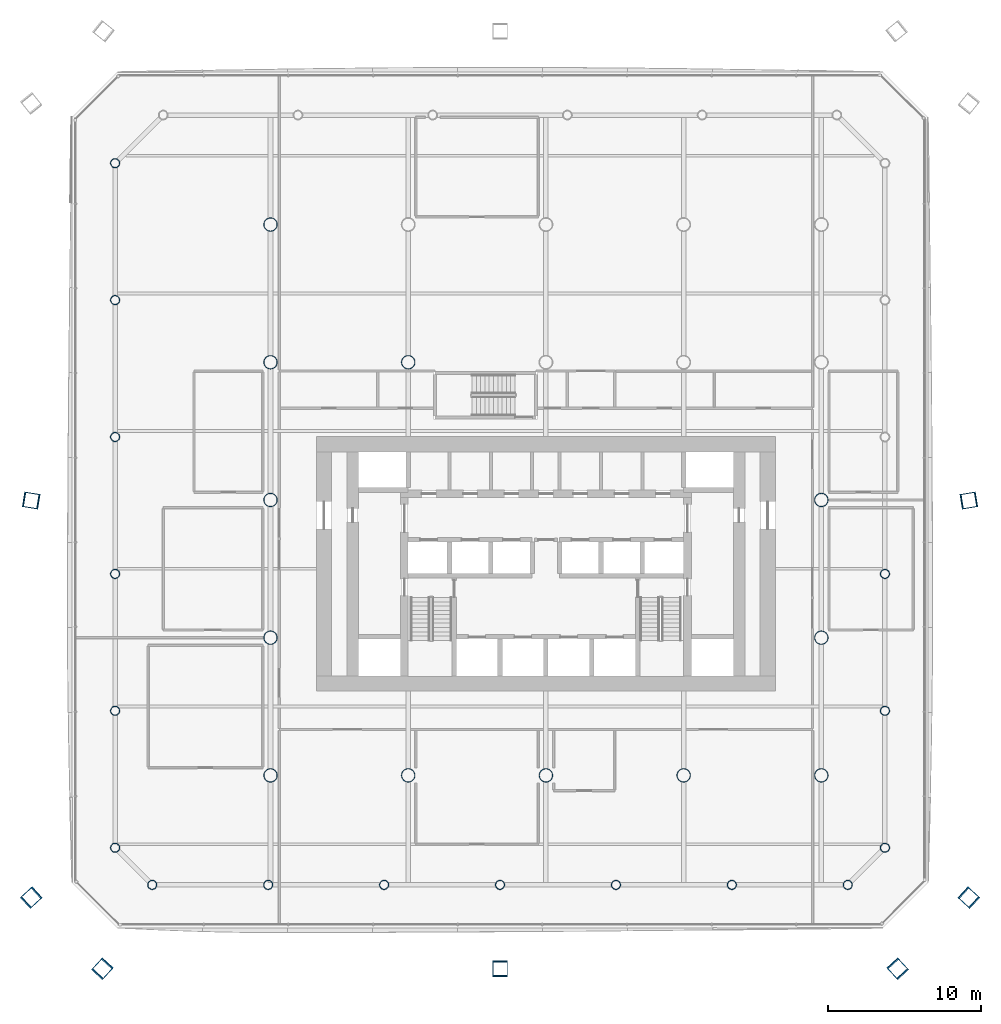
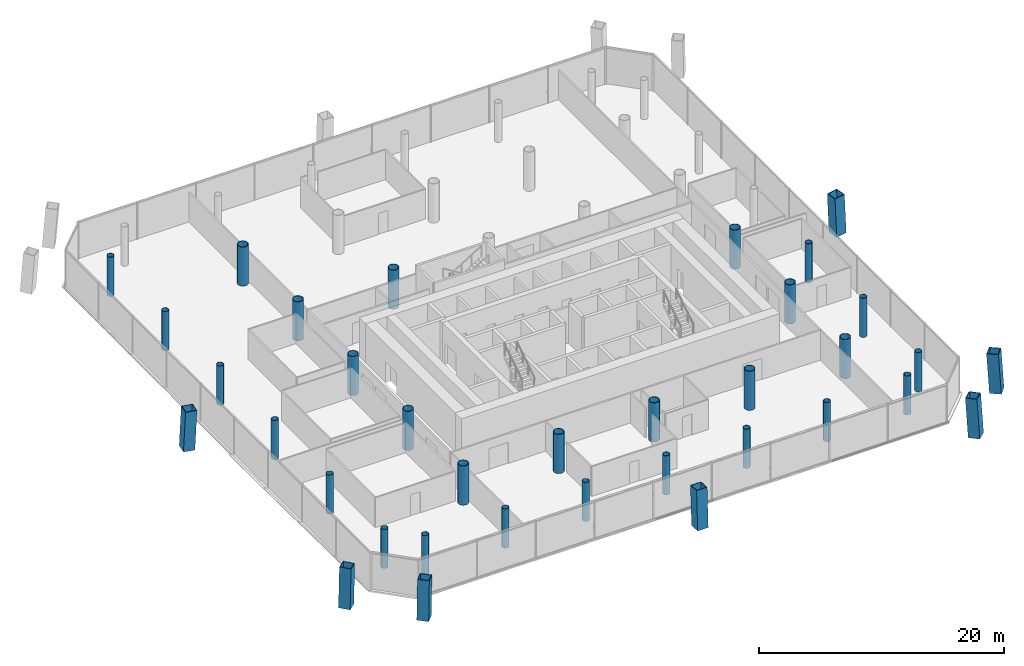
# One storey, part 1 of 23: 35 columns.
"""IFC4 building model written with IfcOpenShell, lengths in metres."""

import ifcopenshell
import ifcopenshell.guid

model = None  # the IFC model being written
_history = None  # IfcOwnerHistory: only IFC2X3 demands one
_inside = {}  # id of a spatial element -> (the spatial element, [elements in it])
_under = {}  # id of a project, library or spatial element -> (it, [spatial elements below it])
_declared = {}  # id of a project -> (the project, [libraries it declares])
_typed = {}  # id of a type object -> (the type object, [elements of that type])
_made_of = {}  # id of a material, layer set ... -> (it, [elements and type objects made of it])


def new_model(schema):
    """Start an empty IFC model of exactly this schema.

    Asked for "IFC4X3", IfcOpenShell would pick the latest addendum, in which some entities
    have other attributes; the version numbers below select the first issue.
    IFC2X3 requires an IfcOwnerHistory on every rooted entity: one is made here for all.
    """
    global model, _history
    if schema == "IFC4X3":
        model = ifcopenshell.file(schema_version=(4, 3, 0, 0))
    else:
        model = ifcopenshell.file(schema=schema)
    _inside.clear()
    _under.clear()
    _declared.clear()
    _typed.clear()
    _made_of.clear()
    _history = None
    if model.schema == "IFC2X3":
        org = make("IfcOrganization", Name="unknown")
        user = make(
            "IfcPersonAndOrganization",
            ThePerson=make("IfcPerson", FamilyName="unknown"),
            TheOrganization=org,
        )
        app = make(
            "IfcApplication",
            ApplicationDeveloper=org,
            Version="unknown",
            ApplicationFullName="unknown",
            ApplicationIdentifier="unknown",
        )
        _history = make(
            "IfcOwnerHistory",
            OwningUser=user,
            OwningApplication=app,
            ChangeAction="ADDED",
            CreationDate=0,
        )
    return model


def make(cls, **values):
    """One entity of the class cls with the attributes given. An attribute that is None is left unset."""
    return model.create_entity(
        cls, **{name: value for name, value in values.items() if value is not None}
    )


def rooted(cls, **values):
    """An entity with a GlobalId (a new one), such as an element, a storey or a relation."""
    return make(cls, GlobalId=ifcopenshell.guid.new(), OwnerHistory=_history, **values)


def si_unit(unit_type, name, prefix=None):
    """IfcSIUnit, for example si_unit("LENGTHUNIT", "METRE", prefix="MILLI")."""
    return make("IfcSIUnit", UnitType=unit_type, Prefix=prefix, Name=name)


def assignment(units):
    """IfcUnitAssignment: the units of a project."""
    return None if units is None else make("IfcUnitAssignment", Units=units)


def point(xyz):
    """IfcCartesianPoint."""
    return None if xyz is None else make("IfcCartesianPoint", Coordinates=xyz)


def direction(xyz):
    """IfcDirection."""
    return None if xyz is None else make("IfcDirection", DirectionRatios=xyz)


def frame(location, z_axis=None, x_axis=None):
    """IfcAxis2Placement3D, a coordinate frame: its origin and axes. An axis left out is left unset."""
    return make(
        "IfcAxis2Placement3D",
        Location=point(location),
        Axis=direction(z_axis),
        RefDirection=direction(x_axis),
    )


def frame_2d(location, x_axis=None):
    """IfcAxis2Placement2D, a coordinate frame in the plane: its origin and x axis."""
    return make(
        "IfcAxis2Placement2D", Location=point(location), RefDirection=direction(x_axis)
    )


def origin():
    """The frame at (0, 0, 0) with its axes left unset."""
    return frame((0.0, 0.0, 0.0))


def origin_2d():
    """The frame at (0, 0) in the plane with its x axis left unset."""
    return frame_2d((0.0, 0.0))


def place(relative_to, where):
    """IfcLocalPlacement: puts the frame where relative to a parent placement (None: the world)."""
    return make(
        "IfcLocalPlacement", PlacementRelTo=relative_to, RelativePlacement=where
    )


def context(
    kind, dimensions, precision=None, world=None, true_north=None, identifier=None
):
    """IfcGeometricRepresentationContext, for example the 3D "Model" context."""
    return make(
        "IfcGeometricRepresentationContext",
        ContextIdentifier=identifier,
        ContextType=kind,
        CoordinateSpaceDimension=dimensions,
        Precision=precision,
        WorldCoordinateSystem=world,
        TrueNorth=true_north,
    )


def subcontext(parent, identifier, kind, view, scale=None):
    """IfcGeometricRepresentationSubContext, for example "Body" below "Model"."""
    return make(
        "IfcGeometricRepresentationSubContext",
        ContextIdentifier=identifier,
        ContextType=kind,
        ParentContext=parent,
        TargetScale=scale,
        TargetView=view,
    )


def project(units=None, contexts=None):
    """IfcProject with its units and contexts."""
    return rooted(
        "IfcProject",
        Name="project",
        RepresentationContexts=contexts,
        UnitsInContext=assignment(units),
    )


def spatial(cls, under=None, at=None, **own):
    """A site, building, storey or space (cls), placed at a placement, below another one or the project."""
    s = rooted(cls, ObjectPlacement=at, **own)
    if under is not None:
        _under.setdefault(under.id(), (under, []))[1].append(s)
    return s


def profile(cls, at=None, kind="AREA", **sizes):
    """A parametric profile (cls). Its sizes go by their IFC names, for example OverallWidth=200.0."""
    return make(cls, ProfileType=kind, Position=at, **sizes)


def hollow_rectangle(**sizes):
    """IfcRectangleHollowProfileDef."""
    return profile("IfcRectangleHollowProfileDef", **sizes)


def hollow_circle(**sizes):
    """IfcCircleHollowProfileDef."""
    return profile("IfcCircleHollowProfileDef", **sizes)


def extrude(swept, where, along, depth):
    """IfcExtrudedAreaSolid: the profile swept, set in the frame where, extruded along a direction by depth."""
    return make(
        "IfcExtrudedAreaSolid",
        SweptArea=swept,
        Position=where,
        ExtrudedDirection=direction(along),
        Depth=depth,
    )


def shape(context_of_items, identifier, shape_type, items):
    """IfcShapeRepresentation: the items that make up one representation, for example the "Body"."""
    return make(
        "IfcShapeRepresentation",
        ContextOfItems=context_of_items,
        RepresentationIdentifier=identifier,
        RepresentationType=shape_type,
        Items=items,
    )


def material(Name=None, Category=None):
    """IfcMaterial."""
    return make("IfcMaterial", Name=Name, Category=Category)


def material_profile(
    of_material, cross_section, Name=None, Category=None, Priority=None
):
    """IfcMaterialProfile: a cross section and its material."""
    return make(
        "IfcMaterialProfile",
        Name=Name,
        Material=of_material,
        Profile=cross_section,
        Priority=Priority,
        Category=Category,
    )


def profile_set(profiles, Name=None, composite=None):
    """IfcMaterialProfileSet."""
    return make(
        "IfcMaterialProfileSet",
        Name=Name,
        MaterialProfiles=profiles,
        CompositeProfile=composite,
    )


def made_of(thing, what):
    """Note that an element or type object is made of a material, layer set ...; save() writes the relation."""
    if what is not None:
        _made_of.setdefault(what.id(), (what, []))[1].append(thing)
    return thing


def type_object(cls, material=None, **own):
    """A type object (cls), such as IfcWallType, which elements share."""
    return made_of(rooted(cls, **own), material)


def element(
    cls,
    number,
    at=None,
    inside=None,
    cuts=None,
    type_object=None,
    material=None,
    context=None,
    identifier="Body",
    shape_type=None,
    held_by="IfcProductDefinitionShape",
    body=None,
    shapes=None,
    **own,
):
    """One element of the class cls, such as IfcWall. Its Tag is "e" and its number.

    at: its placement. inside: the storey or other place that contains it. cuts: it is an
    opening in that element (IfcRelVoidsElement). A single representation is given by context,
    identifier, shape_type and body (its items); several are given by shapes. held_by: the class
    of the entity that holds the representations. save() writes the other relations.
    """
    e = rooted(cls, Tag="e%d" % number, ObjectPlacement=at, **own)
    if body is not None:
        shapes = [shape(context, identifier, shape_type, body)]
    if shapes is not None:
        e.Representation = make(held_by, Representations=shapes)
    if inside is not None:
        _inside.setdefault(inside.id(), (inside, []))[1].append(e)
    if cuts is not None:
        rooted(
            "IfcRelVoidsElement", RelatingBuildingElement=cuts, RelatedOpeningElement=e
        )
    if type_object is not None:
        _typed.setdefault(type_object.id(), (type_object, []))[1].append(e)
    return made_of(e, material)


def aggregate(whole, parts):
    """IfcRelAggregates: a whole, such as a stair, and the parts it consists of."""
    return rooted("IfcRelAggregates", RelatingObject=whole, RelatedObjects=parts)


def save(model, path):
    """Write the relations noted so far, then the file.

    IfcRelAggregates (storeys below a building ...), IfcRelContainedInSpatialStructure (elements
    in a storey), IfcRelDefinesByType, IfcRelAssociatesMaterial and IfcRelDeclares: one each for
    every whole, place, type object, material and project.
    """
    for whole, parts in _under.values():
        aggregate(whole, parts)
    for where, things in _inside.values():
        rooted(
            "IfcRelContainedInSpatialStructure",
            RelatedElements=things,
            RelatingStructure=where,
        )
    for kind, things in _typed.values():
        rooted("IfcRelDefinesByType", RelatedObjects=things, RelatingType=kind)
    for what, things in _made_of.values():
        rooted("IfcRelAssociatesMaterial", RelatedObjects=things, RelatingMaterial=what)
    for by, libraries in _declared.values():
        rooted("IfcRelDeclares", RelatingContext=by, RelatedDefinitions=libraries)
    model.write(path)


model = new_model("IFC4")

# Units and contexts
model_context = context("Model", 3, precision=1e-05, world=origin(), true_north=direction((0.0, 1.0)))
body_context = subcontext(model_context, "Body", "Model", "MODEL_VIEW")
ifc_project = project(units=[si_unit("LENGTHUNIT", "METRE"), si_unit("AREAUNIT", "SQUARE_METRE"), si_unit("VOLUMEUNIT", "CUBIC_METRE"), si_unit("PLANEANGLEUNIT", "RADIAN"), si_unit("MASSUNIT", "GRAM", prefix="KILO")], contexts=[model_context])

# Site, building, storey
site_placement = place(None, origin())
site = spatial("IfcSite", under=ifc_project, at=site_placement, CompositionType="ELEMENT")
building_placement = place(site_placement, origin())
building = spatial("IfcBuilding", under=site, at=building_placement, Name="Tskaro Facet Tower", CompositionType="ELEMENT")
storey_placement = place(building_placement, frame((0.0, 0.0, 14.699951171875)))
storey = spatial("IfcBuildingStorey", under=building, at=storey_placement, Name="L02", CompositionType="ELEMENT", Elevation=14.699951171875)

# Columns
ifc_material_1 = material(Name="Steel S460M", Category="steel")
ifc_material_profile_1 = material_profile(ifc_material_1, hollow_rectangle(XDim=1.0, YDim=1.0, WallThickness=0.06005859375, at=origin_2d()), Name="BOX 1000x1000x60")
ifc_profile_set_1 = profile_set([ifc_material_profile_1], Name="Steel S460M")
column_type_1 = type_object("IfcColumnType", Name="BOX 1000x1000x60 mega column", PredefinedType="COLUMN", material=ifc_profile_set_1)
column_1_placement = place(storey_placement, frame((-29.013916015625, -30.6669921875, 0.0), z_axis=(0.042481911701, 0.046542682672, 0.998012557971), x_axis=(-0.73859280104, 0.674151818399, 0.0)))
element("IfcColumn", 1, at=column_1_placement, inside=storey, type_object=column_type_1, Name="BOX 1000x1000x60 MC01/1", PredefinedType="COLUMN", context=body_context, shape_type="SweptSolid", body=[
    extrude(hollow_rectangle(XDim=1.0, YDim=1.0, WallThickness=0.06005859375, at=origin_2d()), origin(), (0.0, 0.0, 1.0), 3.907958984375),
])
column_2_placement = place(storey_placement, frame((-3.0, -30.6669921875, 0.0), z_axis=(0.0, 0.046584737692, 0.99891434178), x_axis=(-1.0, 0.0, 0.0)))
element("IfcColumn", 2, at=column_2_placement, inside=storey, type_object=column_type_1, Name="BOX 1000x1000x60 MC02/1", PredefinedType="COLUMN", context=body_context, shape_type="SweptSolid", body=[
    extrude(hollow_rectangle(XDim=1.0, YDim=1.0, WallThickness=0.06005859375, at=origin_2d()), origin(), (0.0, 0.0, 1.0), 3.904296875),
])
for number, where, z_axis, x_axis, name in (
    (3, (23.013916015625, -30.6669921875, 0.0), (-0.042481911701, 0.046542682672, 0.998012557971), (-0.73859280104, -0.674151818399, 0.0), "BOX 1000x1000x60 MC03/1"),
    (4, (27.6669921875, -26.013916015625, 0.0), (-0.046542682672, 0.042481911701, 0.998012557971), (-0.674151818399, -0.73859280104, 0.0), "BOX 1000x1000x60 MC04/1"),
):
    element("IfcColumn", number, at=place(storey_placement, frame(where, z_axis=z_axis, x_axis=x_axis)), inside=storey, type_object=column_type_1, Name=name, PredefinedType="COLUMN", context=body_context, shape_type="SweptSolid", body=[
        extrude(hollow_rectangle(XDim=1.0, YDim=1.0, WallThickness=0.06005859375, at=origin_2d()), origin(), (0.0, 0.0, 1.0), 3.907958984375),
    ])
for number, where, z_axis, x_axis, name in (
    (5, (27.6669921875, -0.030029296875, 0.0), (-0.046583359913, -0.007690943986, 0.998884798142), (0.162895476227, -0.986643331617, 0.0), "BOX 1000x1000x60 MC05/1"),
    (6, (-33.6669921875, -0.030029296875, 0.0), (0.046583359913, -0.007690943986, 0.998884798142), (0.162895476227, 0.986643331617, 0.0), "BOX 1000x1000x60 MC11/1"),
):
    element("IfcColumn", number, at=place(storey_placement, frame(where, z_axis=z_axis, x_axis=x_axis)), inside=storey, type_object=column_type_1, Name=name, PredefinedType="COLUMN", context=body_context, shape_type="SweptSolid", body=[
        extrude(hollow_rectangle(XDim=1.0, YDim=1.0, WallThickness=0.06005859375, at=origin_2d()), origin(), (0.0, 0.0, 1.0), 3.904541015625),
    ])
column_3_placement = place(storey_placement, frame((-33.6669921875, -26.013916015625, 0.0), z_axis=(0.046542682672, 0.042481911701, 0.998012557971), x_axis=(-0.674151818399, 0.73859280104, 0.0)))
element("IfcColumn", 7, at=column_3_placement, inside=storey, type_object=column_type_1, Name="BOX 1000x1000x60 MC12/1", PredefinedType="COLUMN", context=body_context, shape_type="SweptSolid", body=[
    extrude(hollow_rectangle(XDim=1.0, YDim=1.0, WallThickness=0.06005859375, at=origin_2d()), origin(), (0.0, 0.0, 1.0), 3.907958984375),
])
ifc_material_2 = material(Name="Steel S355J2H", Category="steel")
ifc_material_profile_2 = material_profile(ifc_material_2, hollow_circle(Radius=0.304931640625, WallThickness=0.030029296875, at=origin_2d()), Name="CHS 610x30")
ifc_profile_set_2 = profile_set([ifc_material_profile_2], Name="Steel S355J2H")
column_type_2 = type_object("IfcColumnType", Name="CHS 610x30 ring column", PredefinedType="COLUMN", material=ifc_profile_set_2)
for number, where, z_axis, x_axis, name in (
    (8, (-25.72900390625, -25.156982421875, 0.0), (0.0, 0.0, 1.0), (1.0, 0.0, 0.0), "CHS 610x30 RS-1/1"),
    (9, (-18.153076171875, -25.156982421875, 0.0), (0.0, 0.0, 1.0), (1.0, 0.0, 0.0), "CHS 610x30 RS-2/1"),
    (10, (-10.575927734375, -25.156982421875, 0.0), (0.0, 0.0, 1.0), (1.0, 0.0, 0.0), "CHS 610x30 RS-3/1"),
    (11, (-3.0, -25.156982421875, 0.0), (0.0, 0.0, 1.0), (1.0, 0.0, 0.0), "CHS 610x30 RS-4/1"),
    (12, (4.575927734375, -25.156982421875, 0.0), (0.0, 0.0, 1.0), (1.0, 0.0, 0.0), "CHS 610x30 RS-5/1"),
    (13, (12.153076171875, -25.156982421875, 0.0), (0.0, 0.0, 1.0), (1.0, 0.0, 0.0), "CHS 610x30 RS-6/1"),
    (14, (19.72900390625, -25.156982421875, 0.0), (0.0, 0.0, 1.0), (1.0, 0.0, 0.0), "CHS 610x30 RSE-1/1"),
    (15, (22.156982421875, -22.72900390625, 0.0), (0.0, 0.0, 1.0), (1.0, 0.0, 0.0), "CHS 610x30 RE-1/1"),
    (16, (22.156982421875, -13.781005859375, 0.0), (0.0, 0.0, 1.0), (1.0, 0.0, 0.0), "CHS 610x30 RE-2/1"),
    (17, (22.156982421875, -4.8330078125, 0.0), (0.0, 0.0, 1.0), (1.0, 0.0, 0.0), "CHS 610x30 RE-3/1"),
    (18, (-28.156982421875, 22.011962890625, 0.0), (0.0, 0.0, 1.0), (1.0, 0.0, 0.0), "CHS 610x30 RW-1/1"),
    (19, (-28.156982421875, 13.06396484375, 0.0), (0.0, 0.0, 1.0), (1.0, 0.0, 0.0), "CHS 610x30 RW-2/1"),
    (20, (-28.156982421875, 4.115966796875, 0.0), (0.0, 0.0, 1.0), (1.0, 0.0, 0.0), "CHS 610x30 RW-3/1"),
    (21, (-28.156982421875, -4.8330078125, 0.0), (0.0, 0.0, 1.0), (1.0, 0.0, 0.0), "CHS 610x30 RW-4/1"),
    (22, (-28.156982421875, -13.781005859375, 0.0), (0.0, 0.0, 1.0), (1.0, 0.0, 0.0), "CHS 610x30 RW-5/1"),
    (23, (-28.156982421875, -22.72900390625, 0.0), (0.0, 0.0, 1.0), (1.0, 0.0, 0.0), "CHS 610x30 RSW-1/1"),
):
    element("IfcColumn", number, at=place(storey_placement, frame(where, z_axis=z_axis, x_axis=x_axis)), inside=storey, type_object=column_type_2, Name=name, PredefinedType="COLUMN", context=body_context, shape_type="SweptSolid", body=[
        extrude(hollow_circle(Radius=0.304931640625, WallThickness=0.030029296875, at=origin_2d()), origin(), (0.0, 0.0, 1.0), 3.900146484375),
    ])
ifc_material_profile_3 = material_profile(ifc_material_2, hollow_circle(Radius=0.457275390625, WallThickness=0.050048828125, at=origin_2d()), Name="CHS 914.4x50")
ifc_profile_set_3 = profile_set([ifc_material_profile_3], Name="Steel S355J2H")
column_type_3 = type_object("IfcColumnType", Name="CHS 914.4x50 interior column", PredefinedType="COLUMN", material=ifc_profile_set_3)
for number, where, z_axis, x_axis, name in (
    (24, (-18.0, -18.0, 0.0), (0.0, 0.0, 1.0), (1.0, 0.0, 0.0), "CHS 914.4x50 C2B/1"),
    (25, (-18.0, -9.0, 0.0), (0.0, 0.0, 1.0), (1.0, 0.0, 0.0), "CHS 914.4x50 C2C/1"),
    (26, (-18.0, 0.0, 0.0), (0.0, 0.0, 1.0), (1.0, 0.0, 0.0), "CHS 914.4x50 C2D/1"),
    (27, (-18.0, 9.0, 0.0), (0.0, 0.0, 1.0), (1.0, 0.0, 0.0), "CHS 914.4x50 C2E/1"),
    (28, (-18.0, 18.0, 0.0), (0.0, 0.0, 1.0), (1.0, 0.0, 0.0), "CHS 914.4x50 C2F/1"),
    (29, (-9.0, -18.0, 0.0), (0.0, 0.0, 1.0), (1.0, 0.0, 0.0), "CHS 914.4x50 C3B/1"),
    (30, (-9.0, 9.0, 0.0), (0.0, 0.0, 1.0), (1.0, 0.0, 0.0), "CHS 914.4x50 C3E/1"),
    (31, (0.0, -18.0, 0.0), (0.0, 0.0, 1.0), (1.0, 0.0, 0.0), "CHS 914.4x50 C4B/1"),
    (32, (9.0, -18.0, 0.0), (0.0, 0.0, 1.0), (1.0, 0.0, 0.0), "CHS 914.4x50 C5B/1"),
    (33, (18.0, -18.0, 0.0), (0.0, 0.0, 1.0), (1.0, 0.0, 0.0), "CHS 914.4x50 C6B/1"),
    (34, (18.0, -9.0, 0.0), (0.0, 0.0, 1.0), (1.0, 0.0, 0.0), "CHS 914.4x50 C6C/1"),
    (35, (18.0, 0.0, 0.0), (0.0, 0.0, 1.0), (1.0, 0.0, 0.0), "CHS 914.4x50 C6D/1"),
):
    element("IfcColumn", number, at=place(storey_placement, frame(where, z_axis=z_axis, x_axis=x_axis)), inside=storey, type_object=column_type_3, Name=name, PredefinedType="COLUMN", context=body_context, shape_type="SweptSolid", body=[
        extrude(hollow_circle(Radius=0.457275390625, WallThickness=0.050048828125, at=origin_2d()), origin(), (0.0, 0.0, 1.0), 3.900146484375),
    ])

save(model, "model.ifc")
